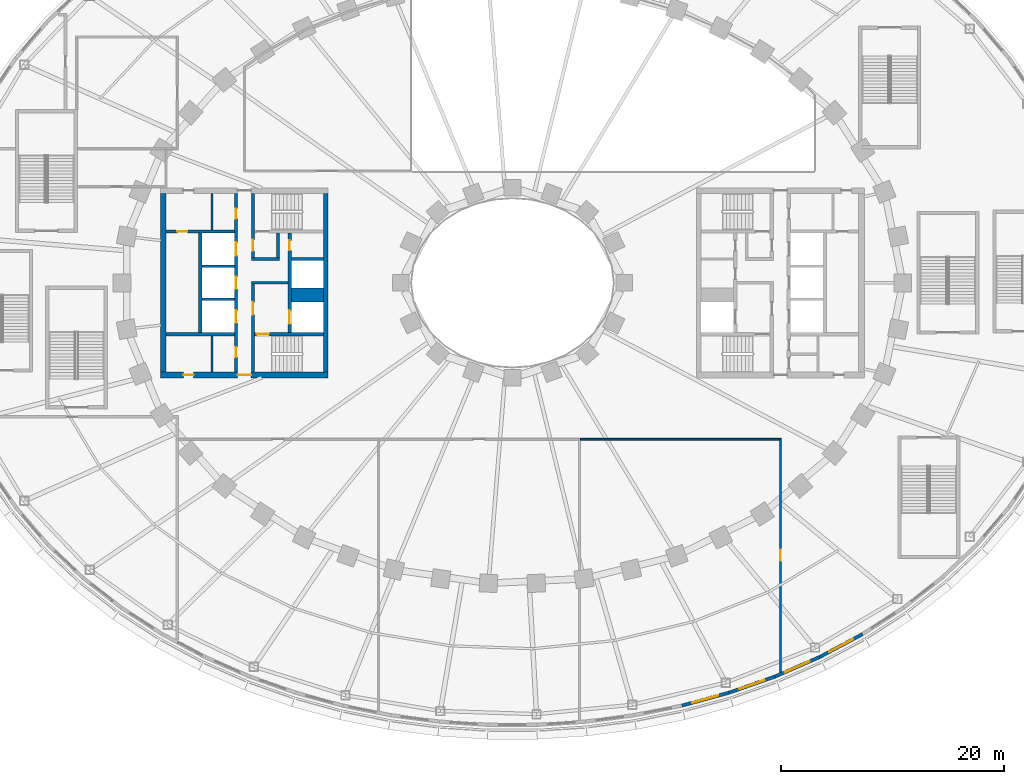
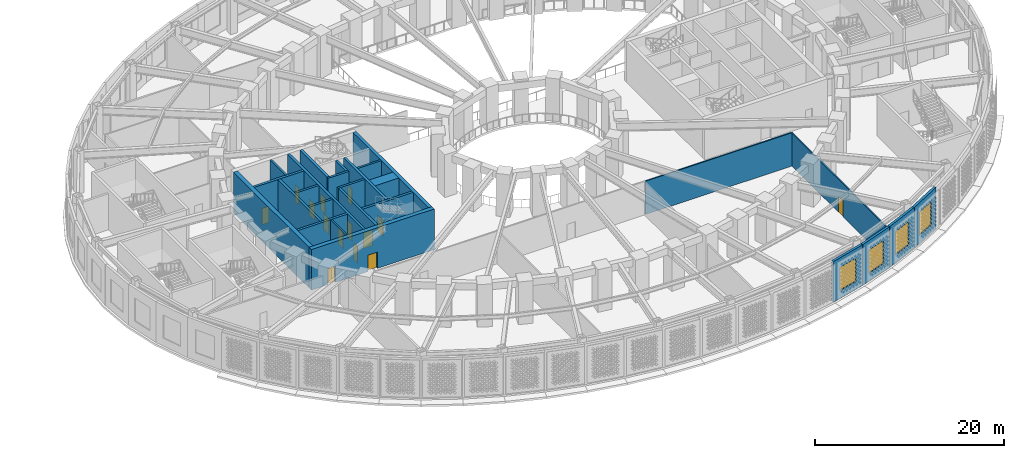
# One storey, part 17 of 69: 26 walls, 14 doors, 4 windows, 18 openings.
"""IFC4 building model written with IfcOpenShell, lengths in metres."""

from ifc_helpers import new_model, si_unit, direction, frame, frame_2d, origin, place, context, subcontext, project, spatial, rectangle, extrude, material, layer, layer_set, type_object, element, fill, save


model = new_model("IFC4")

# Units and contexts
model_context = context("Model", 3, precision=1e-05, world=origin(), true_north=direction((0.0, 1.0)))
body_context = subcontext(model_context, "Body", "Model", "MODEL_VIEW")
ifc_project = project(units=[si_unit("LENGTHUNIT", "METRE"), si_unit("AREAUNIT", "SQUARE_METRE"), si_unit("VOLUMEUNIT", "CUBIC_METRE"), si_unit("PLANEANGLEUNIT", "RADIAN"), si_unit("MASSUNIT", "GRAM", prefix="KILO")], contexts=[model_context])

# Site, building, storey
site_placement = place(None, origin())
site = spatial("IfcSite", under=ifc_project, at=site_placement, CompositionType="ELEMENT")
building_placement = place(site_placement, origin())
building = spatial("IfcBuilding", under=site, at=building_placement, Name="Noorbagh Ring Tower", CompositionType="ELEMENT")
storey_placement = place(building_placement, frame((0.0, 0.0, 19.5)))
storey = spatial("IfcBuildingStorey", under=building, at=storey_placement, Name="L03", CompositionType="ELEMENT", Elevation=19.5)

# Walls
ifc_material_1 = material(Name="Gypsum board on steel studs", Category="steel")
ifc_layer_1 = layer(ifc_material_1, 0.199951171875)
ifc_layer_set_1 = layer_set([ifc_layer_1], Name="Gypsum board on steel studs")
wall_type_1 = type_object("IfcWallType", Name="CORE-PARTITION-200", PredefinedType="PARTITIONING", material=ifc_layer_set_1)
for number, where, z_axis, x_axis, name in (
    (1, (-26.89990234375, 4.75, 0.0), (0.0, 0.0, 1.0), (0.0, 1.0, 0.0), "Core partition W"),
    (2, (-26.89990234375, -8.0, 0.0), (0.0, 0.0, 1.0), (0.0, 1.0, 0.0), "Core partition W"),
):
    element("IfcWall", number, at=place(storey_placement, frame(where, z_axis=z_axis, x_axis=x_axis)), inside=storey, type_object=wall_type_1, Name=name, PredefinedType="PARTITIONING", context=body_context, shape_type="SweptSolid", body=[
        extrude(rectangle(XDim=3.25, YDim=0.199951171875, at=frame_2d((1.625, 0.0))), origin(), (0.0, 0.0, 1.0), 5.25),
    ])
ifc_material_2 = material(Name="Concrete C70/85", Category="concrete")
ifc_layer_2 = layer(ifc_material_2, 1.25)
ifc_layer_set_2 = layer_set([ifc_layer_2], Name="Concrete C70/85")
wall_type_2 = type_object("IfcWallType", Name="CORE-WALL-1250-C70-85-EI120", PredefinedType="SHEAR", material=ifc_layer_set_2)
wall_1_placement = place(storey_placement, frame((-16.89990234375, -1.074951171875, 0.0), z_axis=(0.0, 0.0, 1.0), x_axis=(-1.0, 0.0, 0.0)))
element("IfcWall", 3, at=wall_1_placement, inside=storey, type_object=wall_type_2, Name="Core wall W", PredefinedType="SHEAR", context=body_context, shape_type="SweptSolid", body=[
    extrude(rectangle(XDim=2.900146484375, YDim=1.25, at=frame_2d((1.4501953125, 0.0))), origin(), (0.0, 0.0, 1.0), 5.25),
])
ifc_material_3 = material(Name="Concrete C70/85", Category="concrete")
ifc_layer_3 = layer(ifc_material_3, 0.25)
ifc_layer_set_3 = layer_set([ifc_layer_3], Name="Concrete C70/85")
wall_type_3 = type_object("IfcWallType", Name="CORE-WALL-250-C70-85-EI120", PredefinedType="SHEAR", material=ifc_layer_set_3)
for number, where, z_axis, x_axis, name in (
    (4, (-16.89990234375, 2.125, 0.0), (0.0, 0.0, 1.0), (-1.0, 0.0, 0.0), "Core wall W"),
    (5, (-24.89990234375, -1.47509765625, 0.0), (0.0, 0.0, 1.0), (-1.0, 0.0, 0.0), "Core wall W"),
    (6, (-24.89990234375, 1.47509765625, 0.0), (0.0, 0.0, 1.0), (-1.0, 0.0, 0.0), "Core wall W"),
):
    element("IfcWall", number, at=place(storey_placement, frame(where, z_axis=z_axis, x_axis=x_axis)), inside=storey, type_object=wall_type_3, Name=name, PredefinedType="SHEAR", context=body_context, shape_type="SweptSolid", body=[
        extrude(rectangle(XDim=2.900146484375, YDim=0.25, at=frame_2d((1.4501953125, 0.0))), origin(), (0.0, 0.0, 1.0), 5.25),
    ])
ifc_material_4 = material(Name="Concrete C70/85", Category="concrete")
ifc_layer_4 = layer(ifc_material_4, 0.25)
ifc_layer_set_4 = layer_set([ifc_layer_4], Name="Concrete C70/85")
wall_type_4 = type_object("IfcWallType", Name="CORE-WALL-250-C70-85-EI240", PredefinedType="SHEAR", material=ifc_layer_set_4)
wall_2_placement = place(storey_placement, frame((-20.10009765625, 0.0, 0.0), z_axis=(0.0, 0.0, 1.0), x_axis=(-1.0, 0.0, 0.0)))
element("IfcWall", 7, at=wall_2_placement, inside=storey, type_object=wall_type_4, Name="Core wall W", PredefinedType="SHEAR", context=body_context, shape_type="SweptSolid", body=[
    extrude(rectangle(XDim=3.27978515625, YDim=0.25, at=frame_2d((1.639892578125, 0.0))), origin(), (0.0, 0.0, 1.0), 5.25),
])
wall_3_placement = place(storey_placement, frame((-20.85009765625, 2.125, 0.0), z_axis=(0.0, 0.0, 1.0), x_axis=(-1.0, 0.0, 0.0)))
element("IfcWall", 8, at=wall_3_placement, inside=storey, type_object=wall_type_4, Name="Core wall W", PredefinedType="SHEAR", context=body_context, shape_type="SweptSolid", body=[
    extrude(rectangle(XDim=2.52978515625, YDim=0.25, at=frame_2d((1.264892578125, 0.0))), origin(), (0.0, 0.0, 1.0), 5.25),
])
wall_4_placement = place(storey_placement, frame((-20.97509765625, 2.25, 0.0), z_axis=(0.0, 0.0, 1.0), x_axis=(0.0, 1.0, 0.0)))
element("IfcWall", 9, at=wall_4_placement, inside=storey, type_object=wall_type_4, Name="Core wall W", PredefinedType="SHEAR", context=body_context, shape_type="SweptSolid", body=[
    extrude(rectangle(XDim=2.199951171875, YDim=0.25, at=frame_2d((1.10009765625, 0.0))), origin(), (0.0, 0.0, 1.0), 5.25),
])
ifc_material_5 = material(Name="Concrete C70/85", Category="concrete")
ifc_layer_5 = layer(ifc_material_5, 0.300048828125)
ifc_layer_set_5 = layer_set([ifc_layer_5], Name="Concrete C70/85")
wall_type_5 = type_object("IfcWallType", Name="CORE-WALL-300-C70-85-EI120", PredefinedType="SHEAR", material=ifc_layer_set_5)
wall_5_placement = place(storey_placement, frame((-27.949951171875, -4.449951171875, 0.0), z_axis=(0.0, 0.0, 1.0), x_axis=(0.0, 1.0, 0.0)))
element("IfcWall", 10, at=wall_5_placement, inside=storey, type_object=wall_type_5, Name="Core wall W", PredefinedType="SHEAR", context=body_context, shape_type="SweptSolid", body=[
    extrude(rectangle(XDim=8.89990234375, YDim=0.300048828125, at=frame_2d((4.449951171875, 0.0))), origin(), (0.0, 0.0, 1.0), 5.25),
])

# Wall, openings, doors
wall_6_placement = place(storey_placement, frame((-19.949951171875, -4.449951171875, 0.0), z_axis=(0.0, 0.0, 1.0), x_axis=(0.0, 1.0, 0.0)))
wall_6 = element("IfcWall", 11, at=wall_6_placement, inside=storey, type_object=wall_type_5, Name="Core wall W", PredefinedType="SHEAR", context=body_context, shape_type="SweptSolid", body=[
    extrude(rectangle(XDim=8.89990234375, YDim=0.300048828125, at=frame_2d((4.449951171875, 0.0))), origin(), (0.0, 0.0, 1.0), 5.25),
])
opening_1_placement = place(wall_6_placement, frame((0.77490234375, 0.0, 0.0)))
opening_1 = element("IfcOpeningElement", 12, at=opening_1_placement, cuts=wall_6, Name="Opening L03-CW01", PredefinedType="OPENING", context=body_context, shape_type="SweptSolid", body=[
    extrude(rectangle(XDim=1.199951171875, YDim=2.10009765625, at=frame_2d((0.60009765625, 1.050048828125))), frame((0.0, 0.16015625, 0.0), z_axis=(0.0, -1.0, 0.0), x_axis=(1.0, 0.0, 0.0)), (0.0, 0.0, 1.0), 0.320068359375),
])
opening_2_placement = place(wall_6_placement, frame((7.35009765625, 0.0, 0.0)))
opening_2 = element("IfcOpeningElement", 13, at=opening_2_placement, cuts=wall_6, Name="Opening L03-CW11", PredefinedType="OPENING", context=body_context, shape_type="SweptSolid", body=[
    extrude(rectangle(XDim=0.89990234375, YDim=2.10009765625, at=frame_2d((0.449951171875, 1.050048828125))), frame((0.0, 0.16015625, 0.0), z_axis=(0.0, -1.0, 0.0), x_axis=(1.0, 0.0, 0.0)), (0.0, 0.0, 1.0), 0.320068359375),
])
ifc_material_6 = material(Name="Steel door leaf", Category="steel")
door_type_1 = type_object("IfcDoorType", Name="CORE-DOOR-DROOM", OperationType="SINGLE_SWING_LEFT", PredefinedType="DOOR", material=ifc_material_6)
door_1_placement = place(opening_2_placement, origin())
door_1 = element("IfcDoor", 14, at=door_1_placement, inside=storey, type_object=door_type_1, Name="Core room door L03-CW11", OperationType="SINGLE_SWING_LEFT", OverallHeight=2.10009765625, OverallWidth=0.89990234375, PredefinedType="DOOR", context=body_context, shape_type="SweptSolid", body=[
    extrude(rectangle(XDim=0.89990234375, YDim=2.10009765625, at=frame_2d((0.449951171875, 1.050048828125))), frame((0.0, 0.02490234375, 0.0), z_axis=(0.0, -1.0, 0.0), x_axis=(1.0, 0.0, 0.0)), (0.0, 0.0, 1.0), 0.050048828125),
])
fill(opening_2, door_1)
ifc_material_7 = material(Name="Steel door leaf", Category="steel")
door_type_2 = type_object("IfcDoorType", Name="CORE-DOOR-LDW", OperationType="DOUBLE_DOOR_SLIDING", PredefinedType="DOOR", material=ifc_material_7)
door_2_placement = place(opening_1_placement, origin())
door_2 = element("IfcDoor", 15, at=door_2_placement, inside=storey, type_object=door_type_2, Name="Landing door FF1 L03-CW01", OperationType="DOUBLE_DOOR_SLIDING", OverallHeight=2.10009765625, OverallWidth=1.199951171875, PredefinedType="DOOR", context=body_context, shape_type="SweptSolid", body=[
    extrude(rectangle(XDim=1.199951171875, YDim=2.10009765625, at=frame_2d((0.60009765625, 1.050048828125))), frame((0.0, 0.02490234375, 0.0), z_axis=(0.0, -1.0, 0.0), x_axis=(1.0, 0.0, 0.0)), (0.0, 0.0, 1.0), 0.050048828125),
])
fill(opening_1, door_2)

wall_7_placement = place(storey_placement, frame((-24.75, -8.0, 0.0), z_axis=(0.0, 0.0, 1.0), x_axis=(0.0, 1.0, 0.0)))
wall_7 = element("IfcWall", 16, at=wall_7_placement, inside=storey, type_object=wall_type_5, Name="Core wall W", PredefinedType="SHEAR", context=body_context, shape_type="SweptSolid", body=[
    extrude(rectangle(XDim=16.0, YDim=0.300048828125, at=frame_2d((8.0, 0.0))), origin(), (0.0, 0.0, 1.0), 5.25),
])
opening_3_placement = place(wall_7_placement, frame((4.425048828125, 0.0, 0.0)))
opening_3 = element("IfcOpeningElement", 17, at=opening_3_placement, cuts=wall_7, Name="Opening L03-CW02", PredefinedType="OPENING", context=body_context, shape_type="SweptSolid", body=[
    extrude(rectangle(XDim=1.10009765625, YDim=2.10009765625, at=frame_2d((0.550048828125, 1.050048828125))), frame((0.0, 0.16015625, 0.0), z_axis=(0.0, -1.0, 0.0), x_axis=(1.0, 0.0, 0.0)), (0.0, 0.0, 1.0), 0.320068359375),
])
opening_4_placement = place(wall_7_placement, frame((7.449951171875, 0.0, 0.0)))
opening_4 = element("IfcOpeningElement", 18, at=opening_4_placement, cuts=wall_7, Name="Opening L03-CW03", PredefinedType="OPENING", context=body_context, shape_type="SweptSolid", body=[
    extrude(rectangle(XDim=1.10009765625, YDim=2.10009765625, at=frame_2d((0.550048828125, 1.050048828125))), frame((0.0, 0.16015625, 0.0), z_axis=(0.0, -1.0, 0.0), x_axis=(1.0, 0.0, 0.0)), (0.0, 0.0, 1.0), 0.320068359375),
])
opening_5_placement = place(wall_7_placement, frame((10.425048828125, 0.0, 0.0)))
opening_5 = element("IfcOpeningElement", 19, at=opening_5_placement, cuts=wall_7, Name="Opening L03-CW04", PredefinedType="OPENING", context=body_context, shape_type="SweptSolid", body=[
    extrude(rectangle(XDim=1.199951171875, YDim=2.10009765625, at=frame_2d((0.60009765625, 1.050048828125))), frame((0.0, 0.16015625, 0.0), z_axis=(0.0, -1.0, 0.0), x_axis=(1.0, 0.0, 0.0)), (0.0, 0.0, 1.0), 0.320068359375),
])
opening_6_placement = place(wall_7_placement, frame((13.75, 0.0, 0.0)))
opening_6 = element("IfcOpeningElement", 20, at=opening_6_placement, cuts=wall_7, Name="Opening L03-CW12", PredefinedType="OPENING", context=body_context, shape_type="SweptSolid", body=[
    extrude(rectangle(XDim=0.89990234375, YDim=2.10009765625, at=frame_2d((0.449951171875, 1.050048828125))), frame((0.0, 0.16015625, 0.0), z_axis=(0.0, -1.0, 0.0), x_axis=(1.0, 0.0, 0.0)), (0.0, 0.0, 1.0), 0.320068359375),
])
opening_7_placement = place(wall_7_placement, frame((1.35009765625, 0.0, 0.0)))
opening_7 = element("IfcOpeningElement", 21, at=opening_7_placement, cuts=wall_7, Name="Opening L03-CW14", PredefinedType="OPENING", context=body_context, shape_type="SweptSolid", body=[
    extrude(rectangle(XDim=0.89990234375, YDim=2.10009765625, at=frame_2d((0.449951171875, 1.050048828125))), frame((0.0, 0.16015625, 0.0), z_axis=(0.0, -1.0, 0.0), x_axis=(1.0, 0.0, 0.0)), (0.0, 0.0, 1.0), 0.320068359375),
])
door_3_placement = place(opening_6_placement, origin())
door_3 = element("IfcDoor", 22, at=door_3_placement, inside=storey, type_object=door_type_1, Name="Core room door L03-CW12", OperationType="SINGLE_SWING_RIGHT", OverallHeight=2.10009765625, OverallWidth=0.89990234375, PredefinedType="DOOR", context=body_context, shape_type="SweptSolid", body=[
    extrude(rectangle(XDim=0.89990234375, YDim=2.10009765625, at=frame_2d((0.449951171875, 1.050048828125))), frame((0.0, 0.02490234375, 0.0), z_axis=(0.0, -1.0, 0.0), x_axis=(1.0, 0.0, 0.0)), (0.0, 0.0, 1.0), 0.050048828125),
])
fill(opening_6, door_3)
door_4_placement = place(opening_7_placement, origin())
door_4 = element("IfcDoor", 23, at=door_4_placement, inside=storey, type_object=door_type_1, Name="Core room door L03-CW14", OperationType="SINGLE_SWING_LEFT", OverallHeight=2.10009765625, OverallWidth=0.89990234375, PredefinedType="DOOR", context=body_context, shape_type="SweptSolid", body=[
    extrude(rectangle(XDim=0.89990234375, YDim=2.10009765625, at=frame_2d((0.449951171875, 1.050048828125))), frame((0.0, 0.02490234375, 0.0), z_axis=(0.0, -1.0, 0.0), x_axis=(1.0, 0.0, 0.0)), (0.0, 0.0, 1.0), 0.050048828125),
])
fill(opening_7, door_4)
ifc_material_8 = material(Name="Steel door leaf", Category="steel")
door_type_3 = type_object("IfcDoorType", Name="CORE-DOOR-LD", OperationType="DOUBLE_DOOR_SLIDING", PredefinedType="DOOR", material=ifc_material_8)
door_5_placement = place(opening_3_placement, origin())
door_5 = element("IfcDoor", 24, at=door_5_placement, inside=storey, type_object=door_type_3, Name="Landing door LR1 L03-CW02", OperationType="DOUBLE_DOOR_SLIDING", OverallHeight=2.10009765625, OverallWidth=1.10009765625, PredefinedType="DOOR", context=body_context, shape_type="SweptSolid", body=[
    extrude(rectangle(XDim=1.10009765625, YDim=2.10009765625, at=frame_2d((0.550048828125, 1.050048828125))), frame((0.0, 0.02490234375, 0.0), z_axis=(0.0, -1.0, 0.0), x_axis=(1.0, 0.0, 0.0)), (0.0, 0.0, 1.0), 0.050048828125),
])
fill(opening_3, door_5)
door_6_placement = place(opening_4_placement, origin())
door_6 = element("IfcDoor", 25, at=door_6_placement, inside=storey, type_object=door_type_3, Name="Landing door LR2 L03-CW03", OperationType="DOUBLE_DOOR_SLIDING", OverallHeight=2.10009765625, OverallWidth=1.10009765625, PredefinedType="DOOR", context=body_context, shape_type="SweptSolid", body=[
    extrude(rectangle(XDim=1.10009765625, YDim=2.10009765625, at=frame_2d((0.550048828125, 1.050048828125))), frame((0.0, 0.02490234375, 0.0), z_axis=(0.0, -1.0, 0.0), x_axis=(1.0, 0.0, 0.0)), (0.0, 0.0, 1.0), 0.050048828125),
])
fill(opening_4, door_6)
door_7_placement = place(opening_5_placement, origin())
door_7 = element("IfcDoor", 26, at=door_7_placement, inside=storey, type_object=door_type_2, Name="Landing door SV1 L03-CW04", OperationType="DOUBLE_DOOR_SLIDING", OverallHeight=2.10009765625, OverallWidth=1.199951171875, PredefinedType="DOOR", context=body_context, shape_type="SweptSolid", body=[
    extrude(rectangle(XDim=1.199951171875, YDim=2.10009765625, at=frame_2d((0.60009765625, 1.050048828125))), frame((0.0, 0.02490234375, 0.0), z_axis=(0.0, -1.0, 0.0), x_axis=(1.0, 0.0, 0.0)), (0.0, 0.0, 1.0), 0.050048828125),
])
fill(opening_5, door_7)

# Wall, opening, door
ifc_material_9 = material(Name="Concrete C70/85", Category="concrete")
ifc_layer_6 = layer(ifc_material_9, 0.300048828125)
ifc_layer_set_6 = layer_set([ifc_layer_6], Name="Concrete C70/85")
wall_type_6 = type_object("IfcWallType", Name="CORE-WALL-300-C70-85-EI240", PredefinedType="SHEAR", material=ifc_layer_set_6)
wall_8_placement = place(storey_placement, frame((-24.89990234375, 4.60009765625, 0.0), z_axis=(0.0, 0.0, 1.0), x_axis=(-1.0, 0.0, 0.0)))
wall_8 = element("IfcWall", 27, at=wall_8_placement, inside=storey, type_object=wall_type_6, Name="Core wall W", PredefinedType="SHEAR", context=body_context, shape_type="SweptSolid", body=[
    extrude(rectangle(XDim=6.10009765625, YDim=0.300048828125, at=frame_2d((3.050048828125, 0.0))), origin(), (0.0, 0.0, 1.0), 5.25),
])
opening_8_placement = place(wall_8_placement, frame((4.199951171875, 0.0, 0.0)))
opening_8 = element("IfcOpeningElement", 28, at=opening_8_placement, cuts=wall_8, Name="Opening L03-CW16", PredefinedType="OPENING", context=body_context, shape_type="SweptSolid", body=[
    extrude(rectangle(XDim=0.89990234375, YDim=2.10009765625, at=frame_2d((0.449951171875, 1.050048828125))), frame((0.0, 0.16015625, 0.0), z_axis=(0.0, -1.0, 0.0), x_axis=(1.0, 0.0, 0.0)), (0.0, 0.0, 1.0), 0.320068359375),
])
door_8_placement = place(opening_8_placement, origin())
door_8 = element("IfcDoor", 29, at=door_8_placement, inside=storey, type_object=door_type_1, Name="Core room door L03-CW16", OperationType="SINGLE_SWING_LEFT", OverallHeight=2.10009765625, OverallWidth=0.89990234375, PredefinedType="DOOR", context=body_context, shape_type="SweptSolid", body=[
    extrude(rectangle(XDim=0.89990234375, YDim=2.10009765625, at=frame_2d((0.449951171875, 1.050048828125))), frame((0.0, 0.02490234375, 0.0), z_axis=(0.0, -1.0, 0.0), x_axis=(1.0, 0.0, 0.0)), (0.0, 0.0, 1.0), 0.050048828125),
])
fill(opening_8, door_8)

# Wall
wall_9_placement = place(storey_placement, frame((-24.89990234375, -4.60009765625, 0.0), z_axis=(0.0, 0.0, 1.0), x_axis=(-1.0, 0.0, 0.0)))
element("IfcWall", 30, at=wall_9_placement, inside=storey, type_object=wall_type_6, Name="Core wall W", PredefinedType="SHEAR", context=body_context, shape_type="SweptSolid", body=[
    extrude(rectangle(XDim=6.10009765625, YDim=0.300048828125, at=frame_2d((3.050048828125, 0.0))), origin(), (0.0, 0.0, 1.0), 5.25),
])

# Wall, opening, door
wall_10_placement = place(storey_placement, frame((-23.22998046875, 2.25, 0.0), z_axis=(0.0, 0.0, 1.0), x_axis=(0.0, 1.0, 0.0)))
wall_10 = element("IfcWall", 31, at=wall_10_placement, inside=storey, type_object=wall_type_6, Name="Core wall W", PredefinedType="SHEAR", context=body_context, shape_type="SweptSolid", body=[
    extrude(rectangle(XDim=5.75, YDim=0.300048828125, at=frame_2d((2.875, 0.0))), origin(), (0.0, 0.0, 1.0), 5.25),
])
opening_9_placement = place(wall_10_placement, frame((0.60009765625, 0.0, 0.0)))
opening_9 = element("IfcOpeningElement", 32, at=opening_9_placement, cuts=wall_10, Name="Opening L03-CW08", PredefinedType="OPENING", context=body_context, shape_type="SweptSolid", body=[
    extrude(rectangle(XDim=1.0, YDim=2.10009765625, at=frame_2d((0.5, 1.050048828125))), frame((0.0, 0.16015625, 0.0), z_axis=(0.0, -1.0, 0.0), x_axis=(1.0, 0.0, 0.0)), (0.0, 0.0, 1.0), 0.320068359375),
])
ifc_material_10 = material(Name="Steel door leaf", Category="steel")
door_type_4 = type_object("IfcDoorType", Name="CORE-DOOR-DVEST", OperationType="SINGLE_SWING_LEFT", PredefinedType="DOOR", material=ifc_material_10)
door_9_placement = place(opening_9_placement, origin())
door_9 = element("IfcDoor", 33, at=door_9_placement, inside=storey, type_object=door_type_4, Name="Stair vestibule door L03-CW08", OperationType="SINGLE_SWING_LEFT", OverallHeight=2.10009765625, OverallWidth=1.0, PredefinedType="DOOR", context=body_context, shape_type="SweptSolid", body=[
    extrude(rectangle(XDim=1.0, YDim=2.10009765625, at=frame_2d((0.5, 1.050048828125))), frame((0.0, 0.02490234375, 0.0), z_axis=(0.0, -1.0, 0.0), x_axis=(1.0, 0.0, 0.0)), (0.0, 0.0, 1.0), 0.050048828125),
])
fill(opening_9, door_9)

wall_11_placement = place(storey_placement, frame((-23.22998046875, -8.0, 0.0), z_axis=(0.0, 0.0, 1.0), x_axis=(0.0, 1.0, 0.0)))
wall_11 = element("IfcWall", 34, at=wall_11_placement, inside=storey, type_object=wall_type_6, Name="Core wall W", PredefinedType="SHEAR", context=body_context, shape_type="SweptSolid", body=[
    extrude(rectangle(XDim=7.875, YDim=0.300048828125, at=frame_2d((3.9375, 0.0))), origin(), (0.0, 0.0, 1.0), 5.25),
])
opening_10_placement = place(wall_11_placement, frame((5.14990234375, 0.0, 0.0)))
opening_10 = element("IfcOpeningElement", 35, at=opening_10_placement, cuts=wall_11, Name="Opening L03-CW07", PredefinedType="OPENING", context=body_context, shape_type="SweptSolid", body=[
    extrude(rectangle(XDim=1.10009765625, YDim=2.10009765625, at=frame_2d((0.550048828125, 1.050048828125))), frame((0.0, 0.16015625, 0.0), z_axis=(0.0, -1.0, 0.0), x_axis=(1.0, 0.0, 0.0)), (0.0, 0.0, 1.0), 0.320068359375),
])
ifc_material_11 = material(Name="Steel door leaf", Category="steel")
door_type_5 = type_object("IfcDoorType", Name="CORE-DOOR-DFF", OperationType="SINGLE_SWING_LEFT", PredefinedType="DOOR", material=ifc_material_11)
door_10_placement = place(opening_10_placement, origin())
door_10 = element("IfcDoor", 36, at=door_10_placement, inside=storey, type_object=door_type_5, Name="Firefighting lobby door L03-CW07", OperationType="SINGLE_SWING_LEFT", OverallHeight=2.10009765625, OverallWidth=1.10009765625, PredefinedType="DOOR", context=body_context, shape_type="SweptSolid", body=[
    extrude(rectangle(XDim=1.10009765625, YDim=2.10009765625, at=frame_2d((0.550048828125, 1.050048828125))), frame((0.0, 0.02490234375, 0.0), z_axis=(0.0, -1.0, 0.0), x_axis=(1.0, 0.0, 0.0)), (0.0, 0.0, 1.0), 0.050048828125),
])
fill(opening_10, door_10)

wall_12_placement = place(storey_placement, frame((-16.89990234375, -4.60009765625, 0.0), z_axis=(0.0, 0.0, 1.0), x_axis=(-1.0, 0.0, 0.0)))
wall_12 = element("IfcWall", 37, at=wall_12_placement, inside=storey, type_object=wall_type_6, Name="Core wall W", PredefinedType="SHEAR", context=body_context, shape_type="SweptSolid", body=[
    extrude(rectangle(XDim=6.18017578125, YDim=0.300048828125, at=frame_2d((3.090087890625, 0.0))), origin(), (0.0, 0.0, 1.0), 5.25),
])
opening_11_placement = place(wall_12_placement, frame((4.89990234375, 0.0, 0.0)))
opening_11 = element("IfcOpeningElement", 38, at=opening_11_placement, cuts=wall_12, Name="Opening L03-CW06", PredefinedType="OPENING", context=body_context, shape_type="SweptSolid", body=[
    extrude(rectangle(XDim=1.10009765625, YDim=2.10009765625, at=frame_2d((0.550048828125, 1.050048828125))), frame((0.0, 0.16015625, 0.0), z_axis=(0.0, -1.0, 0.0), x_axis=(1.0, 0.0, 0.0)), (0.0, 0.0, 1.0), 0.320068359375),
])
ifc_material_12 = material(Name="Steel door leaf", Category="steel")
door_type_6 = type_object("IfcDoorType", Name="CORE-DOOR-DSTAIR", OperationType="SINGLE_SWING_LEFT", PredefinedType="DOOR", material=ifc_material_12)
door_11_placement = place(opening_11_placement, origin())
door_11 = element("IfcDoor", 39, at=door_11_placement, inside=storey, type_object=door_type_6, Name="Stair door ST2 L03-CW06", OperationType="SINGLE_SWING_LEFT", OverallHeight=2.10009765625, OverallWidth=1.10009765625, PredefinedType="DOOR", context=body_context, shape_type="SweptSolid", body=[
    extrude(rectangle(XDim=1.10009765625, YDim=2.10009765625, at=frame_2d((0.550048828125, 1.050048828125))), frame((0.0, 0.02490234375, 0.0), z_axis=(0.0, -1.0, 0.0), x_axis=(1.0, 0.0, 0.0)), (0.0, 0.0, 1.0), 0.050048828125),
])
fill(opening_11, door_11)

# Wall
ifc_material_13 = material(Name="Concrete C70/85", Category="concrete")
ifc_layer_7 = layer(ifc_material_13, 0.39990234375)
ifc_layer_set_7 = layer_set([ifc_layer_7], Name="Concrete C70/85")
wall_type_7 = type_object("IfcWallType", Name="CORE-WALL-400-C70-85-EI240", PredefinedType="SHEAR", material=ifc_layer_set_7)
wall_13_placement = place(storey_placement, frame((-16.699951171875, -8.0, 0.0), z_axis=(0.0, 0.0, 1.0), x_axis=(0.0, 1.0, 0.0)))
element("IfcWall", 40, at=wall_13_placement, inside=storey, type_object=wall_type_7, Name="Core wall W", PredefinedType="SHEAR", context=body_context, shape_type="SweptSolid", body=[
    extrude(rectangle(XDim=16.0, YDim=0.39990234375, at=frame_2d((8.0, 0.0))), origin(), (0.0, 0.0, 1.0), 5.25),
])

# Wall, openings, doors
ifc_material_14 = material(Name="Concrete C70/85", Category="concrete")
ifc_layer_8 = layer(ifc_material_14, 0.5)
ifc_layer_set_8 = layer_set([ifc_layer_8], Name="Concrete C70/85")
wall_type_8 = type_object("IfcWallType", Name="CORE-WALL-500-C70-85-EI240", PredefinedType="SHEAR", material=ifc_layer_set_8)
wall_14_placement = place(storey_placement, frame((-16.5, -8.25, 0.0), z_axis=(0.0, 0.0, 1.0), x_axis=(-1.0, 0.0, 0.0)))
wall_14 = element("IfcWall", 41, at=wall_14_placement, inside=storey, type_object=wall_type_8, Name="Core wall W", PredefinedType="SHEAR", context=body_context, shape_type="SweptSolid", body=[
    extrude(rectangle(XDim=15.0, YDim=0.5, at=frame_2d((7.5, 0.0))), origin(), (0.0, 0.0, 1.0), 5.25),
])
opening_12_placement = place(wall_14_placement, frame((6.89990234375, 0.0, 0.0)))
opening_12 = element("IfcOpeningElement", 42, at=opening_12_placement, cuts=wall_14, Name="Opening L03-CW10", PredefinedType="OPENING", context=body_context, shape_type="SweptSolid", body=[
    extrude(rectangle(XDim=1.199951171875, YDim=2.10009765625, at=frame_2d((0.60009765625, 1.050048828125))), frame((0.0, 0.260009765625, 0.0), z_axis=(0.0, -1.0, 0.0), x_axis=(1.0, 0.0, 0.0)), (0.0, 0.0, 1.0), 0.52001953125),
])
opening_13_placement = place(wall_14_placement, frame((12.050048828125, 0.0, 0.0)))
opening_13 = element("IfcOpeningElement", 43, at=opening_13_placement, cuts=wall_14, Name="Opening L03-CW15", PredefinedType="OPENING", context=body_context, shape_type="SweptSolid", body=[
    extrude(rectangle(XDim=0.89990234375, YDim=2.10009765625, at=frame_2d((0.449951171875, 1.050048828125))), frame((0.0, 0.260009765625, 0.0), z_axis=(0.0, -1.0, 0.0), x_axis=(1.0, 0.0, 0.0)), (0.0, 0.0, 1.0), 0.52001953125),
])
door_12_placement = place(opening_13_placement, origin())
door_12 = element("IfcDoor", 44, at=door_12_placement, inside=storey, type_object=door_type_1, Name="Core room door L03-CW15", OperationType="SINGLE_SWING_LEFT", OverallHeight=2.10009765625, OverallWidth=0.89990234375, PredefinedType="DOOR", context=body_context, shape_type="SweptSolid", body=[
    extrude(rectangle(XDim=0.89990234375, YDim=2.10009765625, at=frame_2d((0.449951171875, 1.050048828125))), frame((0.0, 0.02490234375, 0.0), z_axis=(0.0, -1.0, 0.0), x_axis=(1.0, 0.0, 0.0)), (0.0, 0.0, 1.0), 0.050048828125),
])
fill(opening_13, door_12)
ifc_material_15 = material(Name="Steel door leaf", Category="steel")
door_type_7 = type_object("IfcDoorType", Name="CORE-DOOR-PORT", OperationType="DOUBLE_DOOR_DOUBLE_SWING", PredefinedType="DOOR", material=ifc_material_15)
door_13_placement = place(opening_12_placement, origin())
door_13 = element("IfcDoor", 45, at=door_13_placement, inside=storey, type_object=door_type_7, Name="Core entrance door L03-CW10", OperationType="DOUBLE_DOOR_DOUBLE_SWING", OverallHeight=2.10009765625, OverallWidth=1.199951171875, PredefinedType="DOOR", context=body_context, shape_type="SweptSolid", body=[
    extrude(rectangle(XDim=1.199951171875, YDim=2.10009765625, at=frame_2d((0.60009765625, 1.050048828125))), frame((0.0, 0.02490234375, 0.0), z_axis=(0.0, -1.0, 0.0), x_axis=(1.0, 0.0, 0.0)), (0.0, 0.0, 1.0), 0.050048828125),
])
fill(opening_12, door_13)

# Wall
wall_15_placement = place(storey_placement, frame((-31.25, -8.0, 0.0), z_axis=(0.0, 0.0, 1.0), x_axis=(0.0, 1.0, 0.0)))
element("IfcWall", 46, at=wall_15_placement, inside=storey, type_object=wall_type_8, Name="Core wall W", PredefinedType="SHEAR", context=body_context, shape_type="SweptSolid", body=[
    extrude(rectangle(XDim=16.0, YDim=0.5, at=frame_2d((8.0, 0.0))), origin(), (0.0, 0.0, 1.0), 5.25),
])

# Wall, opening, window
ifc_material_16 = material(Name="Blockwork faced with red sandstone", Category="masonry")
ifc_layer_9 = layer(ifc_material_16, 0.300048828125)
ifc_layer_set_9 = layer_set([ifc_layer_9], Name="Blockwork faced with red sandstone")
wall_type_9 = type_object("IfcWallType", Name="GND-ENV-WALL", PredefinedType="SOLIDWALL", material=ifc_layer_set_9)
wall_16_placement = place(storey_placement, frame((15.164794921875, -37.85009765625, 0.0), z_axis=(0.0, 0.0, 1.0), x_axis=(0.964679950239, 0.263424739931, 0.0)))
wall_16 = element("IfcWall", 47, at=wall_16_placement, inside=storey, type_object=wall_type_9, Name="Podium wall", PredefinedType="SOLIDWALL", context=body_context, shape_type="SweptSolid", body=[
    extrude(rectangle(XDim=4.368896484375, YDim=0.300048828125, at=frame_2d((2.1845703125, 0.0))), origin(), (0.0, 0.0, 1.0), 5.25),
])
opening_14_placement = place(wall_16_placement, frame((0.984619140625, 0.0, 1.0)))
opening_14 = element("IfcOpeningElement", 48, at=opening_14_placement, cuts=wall_16, Name="Opening GWN1", PredefinedType="OPENING", context=body_context, shape_type="SweptSolid", body=[
    extrude(rectangle(XDim=2.39990234375, YDim=3.0, at=frame_2d((1.199951171875, 1.5))), frame((0.0, 0.16015625, 0.0), z_axis=(0.0, -1.0, 0.0), x_axis=(1.0, 0.0, 0.0)), (0.0, 0.0, 1.0), 0.320068359375),
])
ifc_material_17 = material(Name="Aluminium and glass", Category="aluminium")
window_type = type_object("IfcWindowType", Name="GND-ENV-WINDOW", PartitioningType="SINGLE_PANEL", PredefinedType="WINDOW", material=ifc_material_17)
window_1_placement = place(opening_14_placement, origin())
window_1 = element("IfcWindow", 49, at=window_1_placement, inside=storey, type_object=window_type, Name="L03 podium window", OverallHeight=3.0, OverallWidth=2.39990234375, PartitioningType="SINGLE_PANEL", PredefinedType="WINDOW", context=body_context, shape_type="SweptSolid", body=[
    extrude(rectangle(XDim=2.39990234375, YDim=3.0, at=frame_2d((1.199951171875, 1.5))), frame((0.0, 0.030029296875, 0.0), z_axis=(0.0, -1.0, 0.0), x_axis=(1.0, 0.0, 0.0)), (0.0, 0.0, 1.0), 0.06005859375),
])
fill(opening_14, window_1)

wall_17_placement = place(storey_placement, frame((19.37939453125, -36.69921875, 0.0), z_axis=(0.0, 0.0, 1.0), x_axis=(0.943526738033, 0.331296384853, 0.0)))
wall_17 = element("IfcWall", 50, at=wall_17_placement, inside=storey, type_object=wall_type_9, Name="Podium wall", PredefinedType="SOLIDWALL", context=body_context, shape_type="SweptSolid", body=[
    extrude(rectangle(XDim=4.36767578125, YDim=0.300048828125, at=frame_2d((2.183837890625, 0.0))), origin(), (0.0, 0.0, 1.0), 5.25),
])
opening_15_placement = place(wall_17_placement, frame((0.98388671875, 0.0, 1.0)))
opening_15 = element("IfcOpeningElement", 51, at=opening_15_placement, cuts=wall_17, Name="Opening GWN1", PredefinedType="OPENING", context=body_context, shape_type="SweptSolid", body=[
    extrude(rectangle(XDim=2.39990234375, YDim=3.0, at=frame_2d((1.199951171875, 1.5))), frame((0.0, 0.16015625, 0.0), z_axis=(0.0, -1.0, 0.0), x_axis=(1.0, 0.0, 0.0)), (0.0, 0.0, 1.0), 0.320068359375),
])
window_2_placement = place(opening_15_placement, origin())
window_2 = element("IfcWindow", 52, at=window_2_placement, inside=storey, type_object=window_type, Name="L03 podium window", OverallHeight=3.0, OverallWidth=2.39990234375, PartitioningType="SINGLE_PANEL", PredefinedType="WINDOW", context=body_context, shape_type="SweptSolid", body=[
    extrude(rectangle(XDim=2.39990234375, YDim=3.0, at=frame_2d((1.199951171875, 1.5))), frame((0.0, 0.030029296875, 0.0), z_axis=(0.0, -1.0, 0.0), x_axis=(1.0, 0.0, 0.0)), (0.0, 0.0, 1.0), 0.06005859375),
])
fill(opening_15, window_2)

wall_18_placement = place(storey_placement, frame((23.50048828125, -35.252197265625, 0.0), z_axis=(0.0, 0.0, 1.0), x_axis=(0.916336904548, 0.400408138483, 0.0)))
wall_18 = element("IfcWall", 53, at=wall_18_placement, inside=storey, type_object=wall_type_9, Name="Podium wall", PredefinedType="SOLIDWALL", context=body_context, shape_type="SweptSolid", body=[
    extrude(rectangle(XDim=4.3662109375, YDim=0.300048828125, at=frame_2d((2.18310546875, 0.0))), origin(), (0.0, 0.0, 1.0), 5.25),
])
opening_16_placement = place(wall_18_placement, frame((0.983154296875, 0.0, 1.0)))
opening_16 = element("IfcOpeningElement", 54, at=opening_16_placement, cuts=wall_18, Name="Opening GWN1", PredefinedType="OPENING", context=body_context, shape_type="SweptSolid", body=[
    extrude(rectangle(XDim=2.39990234375, YDim=3.0, at=frame_2d((1.199951171875, 1.5))), frame((0.0, 0.16015625, 0.0), z_axis=(0.0, -1.0, 0.0), x_axis=(1.0, 0.0, 0.0)), (0.0, 0.0, 1.0), 0.320068359375),
])
window_3_placement = place(opening_16_placement, origin())
window_3 = element("IfcWindow", 55, at=window_3_placement, inside=storey, type_object=window_type, Name="L03 podium window", OverallHeight=3.0, OverallWidth=2.39990234375, PartitioningType="SINGLE_PANEL", PredefinedType="WINDOW", context=body_context, shape_type="SweptSolid", body=[
    extrude(rectangle(XDim=2.39990234375, YDim=3.0, at=frame_2d((1.199951171875, 1.5))), frame((0.0, 0.030029296875, 0.0), z_axis=(0.0, -1.0, 0.0), x_axis=(1.0, 0.0, 0.0)), (0.0, 0.0, 1.0), 0.06005859375),
])
fill(opening_16, window_3)

wall_19_placement = place(storey_placement, frame((27.50146484375, -33.50390625, 0.0), z_axis=(0.0, 0.0, 1.0), x_axis=(0.882159305704, 0.47095112205, 0.0)))
wall_19 = element("IfcWall", 56, at=wall_19_placement, inside=storey, type_object=wall_type_9, Name="Podium wall", PredefinedType="SOLIDWALL", context=body_context, shape_type="SweptSolid", body=[
    extrude(rectangle(XDim=4.364501953125, YDim=0.300048828125, at=frame_2d((2.18212890625, 0.0))), origin(), (0.0, 0.0, 1.0), 5.25),
])
opening_17_placement = place(wall_19_placement, frame((0.982177734375, 0.0, 1.0)))
opening_17 = element("IfcOpeningElement", 57, at=opening_17_placement, cuts=wall_19, Name="Opening GWN1", PredefinedType="OPENING", context=body_context, shape_type="SweptSolid", body=[
    extrude(rectangle(XDim=2.39990234375, YDim=3.0, at=frame_2d((1.199951171875, 1.5))), frame((0.0, 0.16015625, 0.0), z_axis=(0.0, -1.0, 0.0), x_axis=(1.0, 0.0, 0.0)), (0.0, 0.0, 1.0), 0.320068359375),
])
window_4_placement = place(opening_17_placement, origin())
window_4 = element("IfcWindow", 58, at=window_4_placement, inside=storey, type_object=window_type, Name="L03 podium window", OverallHeight=3.0, OverallWidth=2.39990234375, PartitioningType="SINGLE_PANEL", PredefinedType="WINDOW", context=body_context, shape_type="SweptSolid", body=[
    extrude(rectangle(XDim=2.39990234375, YDim=3.0, at=frame_2d((1.199951171875, 1.5))), frame((0.0, 0.030029296875, 0.0), z_axis=(0.0, -1.0, 0.0), x_axis=(1.0, 0.0, 0.0)), (0.0, 0.0, 1.0), 0.06005859375),
])
fill(opening_17, window_4)

# Wall, opening, door
ifc_material_18 = material(Name="Gypsum board on steel studs", Category="steel")
ifc_layer_10 = layer(ifc_material_18, 0.14990234375)
ifc_layer_set_10 = layer_set([ifc_layer_10], Name="Gypsum board on steel studs")
wall_type_10 = type_object("IfcWallType", Name="GND-PART-150", PredefinedType="PARTITIONING", material=ifc_layer_set_10)
wall_20_placement = place(storey_placement, frame((24.0, -13.925048828125, 0.0), z_axis=(0.0, 0.0, 1.0), x_axis=(0.0, -1.0, 0.0)))
wall_20 = element("IfcWall", 59, at=wall_20_placement, inside=storey, type_object=wall_type_10, Name="L03/wall/P021", PredefinedType="PARTITIONING", context=body_context, shape_type="SweptSolid", body=[
    extrude(rectangle(XDim=20.925537109375, YDim=0.14990234375, at=frame_2d((10.462890625, 0.0))), origin(), (0.0, 0.0, 1.0), 4.25),
])
opening_18_placement = place(wall_20_placement, frame((9.962890625, 0.0, 0.0)))
opening_18 = element("IfcOpeningElement", 60, at=opening_18_placement, cuts=wall_20, Name="Opening GD6", PredefinedType="OPENING", context=body_context, shape_type="SweptSolid", body=[
    extrude(rectangle(XDim=1.0, YDim=2.10009765625, at=frame_2d((0.5, 1.050048828125))), frame((0.0, 0.0849609375, 0.0), z_axis=(0.0, -1.0, 0.0), x_axis=(1.0, 0.0, 0.0)), (0.0, 0.0, 1.0), 0.169921875),
])
ifc_material_19 = material(Name="Timber", Category="wood")
door_type_8 = type_object("IfcDoorType", Name="GND-DOOR-HALL", OperationType="SINGLE_SWING_LEFT", PredefinedType="DOOR", material=ifc_material_19)
door_14_placement = place(opening_18_placement, origin())
door_14 = element("IfcDoor", 61, at=door_14_placement, inside=storey, type_object=door_type_8, Name="Meeting room 3 door", OperationType="SINGLE_SWING_LEFT", OverallHeight=2.10009765625, OverallWidth=1.0, PredefinedType="DOOR", context=body_context, shape_type="SweptSolid", body=[
    extrude(rectangle(XDim=1.0, YDim=2.10009765625, at=frame_2d((0.5, 1.050048828125))), frame((0.0, 0.02490234375, 0.0), z_axis=(0.0, -1.0, 0.0), x_axis=(1.0, 0.0, 0.0)), (0.0, 0.0, 1.0), 0.050048828125),
])
fill(opening_18, door_14)

# Wall
wall_21_placement = place(storey_placement, frame((6.074951171875, -14.0, 0.0), z_axis=(0.0, 0.0, 1.0), x_axis=(1.0, 0.0, 0.0)))
element("IfcWall", 62, at=wall_21_placement, inside=storey, type_object=wall_type_10, Name="L03/wall/P022", PredefinedType="PARTITIONING", context=body_context, shape_type="SweptSolid", body=[
    extrude(rectangle(XDim=17.85009765625, YDim=0.14990234375, at=frame_2d((8.925048828125, 0.0))), origin(), (0.0, 0.0, 1.0), 4.300048828125),
])

save(model, "model.ifc")
